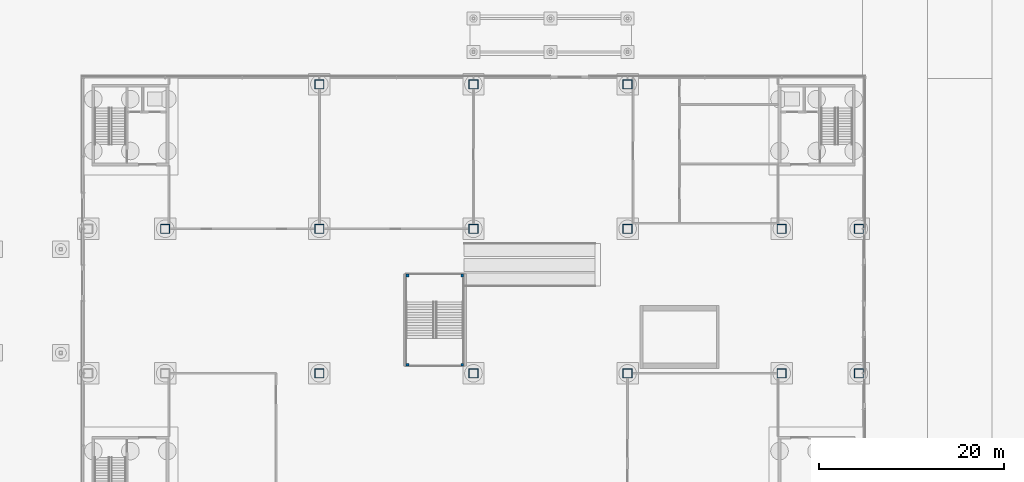
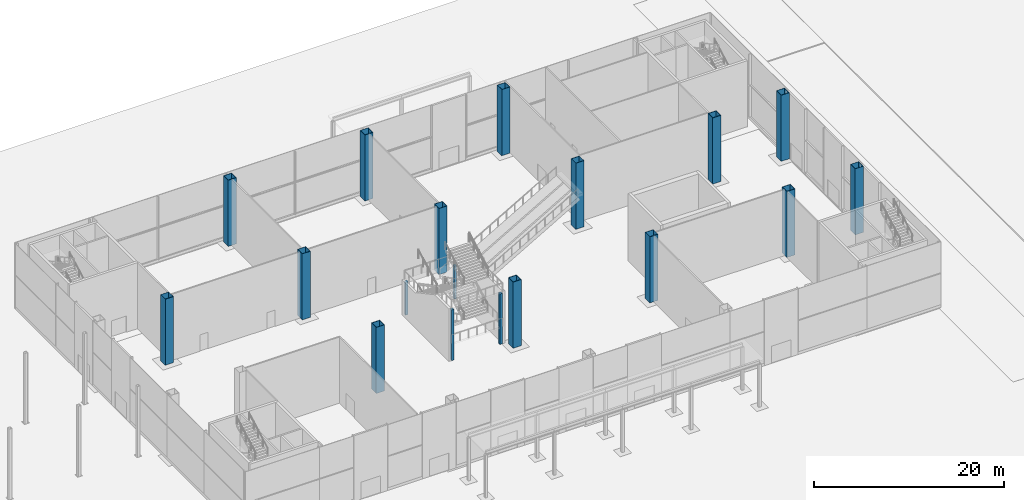
# One storey, part 18 of 113: 18 columns.
"""IFC4 building model written with IfcOpenShell, lengths in metres."""

from ifc_helpers import new_model, si_unit, direction, frame, origin, origin_2d, place, context, subcontext, project, spatial, rectangle, hollow_rectangle, extrude, material, material_profile, profile_set, type_object, element, save


model = new_model("IFC4")

# Units and contexts
model_context = context("Model", 3, precision=1e-05, world=origin(), true_north=direction((0.0, 1.0)))
body_context = subcontext(model_context, "Body", "Model", "MODEL_VIEW")
ifc_project = project(units=[si_unit("LENGTHUNIT", "METRE"), si_unit("AREAUNIT", "SQUARE_METRE"), si_unit("VOLUMEUNIT", "CUBIC_METRE"), si_unit("PLANEANGLEUNIT", "RADIAN"), si_unit("MASSUNIT", "GRAM", prefix="KILO")], contexts=[model_context])

# Site, building, storey
site_placement = place(None, origin())
site = spatial("IfcSite", under=ifc_project, at=site_placement, CompositionType="ELEMENT")
building_placement = place(site_placement, origin())
building = spatial("IfcBuilding", under=site, at=building_placement, Name="Hakoniwa Tower and Hamabe Station Hall", CompositionType="ELEMENT")
storey_placement = place(building_placement, origin())
storey = spatial("IfcBuildingStorey", under=building, at=storey_placement, Name="L01", CompositionType="ELEMENT", Elevation=0.0)

# Columns
ifc_material_1 = material(Name="Concrete C40", Category="concrete")
ifc_material_profile_1 = material_profile(ifc_material_1, rectangle(XDim=0.300048828125, YDim=0.300048828125, at=origin_2d()), Name="STAIR LANDING POST 300X300")
ifc_profile_set_1 = profile_set([ifc_material_profile_1], Name="Concrete C40")
column_type_1 = type_object("IfcColumnType", Name="STAIR LANDING POST 300X300", PredefinedType="COLUMN", material=ifc_profile_set_1)
for number, where, z_axis, x_axis, name in (
    (1, (120.43994140625, -6.8701171875, 0.0), (0.0, 0.0, 1.0), (1.0, 0.0, 0.0), "Landing post CS1 1a"),
    (2, (126.340087890625, -6.8701171875, 0.0), (0.0, 0.0, 1.0), (1.0, 0.0, 0.0), "Landing post CS1 1b"),
):
    element("IfcColumn", number, at=place(storey_placement, frame(where, z_axis=z_axis, x_axis=x_axis)), inside=storey, type_object=column_type_1, Name=name, PredefinedType="COLUMN", context=body_context, shape_type="SweptSolid", body=[
        extrude(rectangle(XDim=0.300048828125, YDim=0.300048828125, at=origin_2d()), origin(), (0.0, 0.0, 1.0), 6.5),
    ])
for number, where, z_axis, x_axis, name in (
    (3, (120.43994140625, 2.75, 0.0), (0.0, 0.0, 1.0), (1.0, 0.0, 0.0), "Landing post CS1 2a"),
    (4, (126.340087890625, 2.75, 0.0), (0.0, 0.0, 1.0), (1.0, 0.0, 0.0), "Landing post CS1 2b"),
):
    element("IfcColumn", number, at=place(storey_placement, frame(where, z_axis=z_axis, x_axis=x_axis)), inside=storey, type_object=column_type_1, Name=name, PredefinedType="COLUMN", context=body_context, shape_type="SweptSolid", body=[
        extrude(rectangle(XDim=0.300048828125, YDim=0.300048828125, at=origin_2d()), origin(), (0.0, 0.0, 1.0), 4.25),
    ])
ifc_material_2 = material(Name="Steel BCP325", Category="steel")
ifc_material_profile_2 = material_profile(ifc_material_2, hollow_rectangle(XDim=1.0, YDim=1.0, WallThickness=0.0400390625, at=origin_2d()), Name="STATION BOX COLUMN 1000X1000X40")
ifc_profile_set_2 = profile_set([ifc_material_profile_2], Name="Steel BCP325")
column_type_2 = type_object("IfcColumnType", Name="STATION BOX COLUMN 1000X1000X40", PredefinedType="COLUMN", material=ifc_profile_set_2)
for number, where, z_axis, x_axis, name in (
    (5, (94.27001953125, 7.800048828125, 0.0), (0.0, 0.0, 1.0), (1.0, 0.0, 0.0), "Station column S2E"),
    (6, (110.909912109375, -7.800048828125, 0.0), (0.0, 0.0, 1.0), (1.0, 0.0, 0.0), "Station column S4C"),
    (7, (110.909912109375, 7.800048828125, 0.0), (0.0, 0.0, 1.0), (1.0, 0.0, 0.0), "Station column S4E"),
    (8, (110.909912109375, 23.39990234375, 0.0), (0.0, 0.0, 1.0), (1.0, 0.0, 0.0), "Station column S4G"),
    (9, (127.550048828125, -7.800048828125, 0.0), (0.0, 0.0, 1.0), (1.0, 0.0, 0.0), "Station column S6C"),
    (10, (127.550048828125, 7.800048828125, 0.0), (0.0, 0.0, 1.0), (1.0, 0.0, 0.0), "Station column S6E"),
    (11, (127.550048828125, 23.39990234375, 0.0), (0.0, 0.0, 1.0), (1.0, 0.0, 0.0), "Station column S6G"),
    (12, (144.18994140625, -7.800048828125, 0.0), (0.0, 0.0, 1.0), (1.0, 0.0, 0.0), "Station column S8C"),
    (13, (144.18994140625, 7.800048828125, 0.0), (0.0, 0.0, 1.0), (1.0, 0.0, 0.0), "Station column S8E"),
    (14, (144.18994140625, 23.39990234375, 0.0), (0.0, 0.0, 1.0), (1.0, 0.0, 0.0), "Station column S8G"),
    (15, (160.830078125, -7.800048828125, 0.0), (0.0, 0.0, 1.0), (1.0, 0.0, 0.0), "Station column S10C"),
    (16, (160.830078125, 7.800048828125, 0.0), (0.0, 0.0, 1.0), (1.0, 0.0, 0.0), "Station column S10E"),
    (17, (169.14990234375, -7.800048828125, 0.0), (0.0, 0.0, 1.0), (1.0, 0.0, 0.0), "Station column S11C"),
    (18, (169.14990234375, 7.800048828125, 0.0), (0.0, 0.0, 1.0), (1.0, 0.0, 0.0), "Station column S11E"),
):
    element("IfcColumn", number, at=place(storey_placement, frame(where, z_axis=z_axis, x_axis=x_axis)), inside=storey, type_object=column_type_2, Name=name, PredefinedType="COLUMN", context=body_context, shape_type="SweptSolid", body=[
        extrude(hollow_rectangle(XDim=1.0, YDim=1.0, WallThickness=0.0400390625, at=origin_2d()), origin(), (0.0, 0.0, 1.0), 8.5),
    ])

save(model, "model.ifc")
